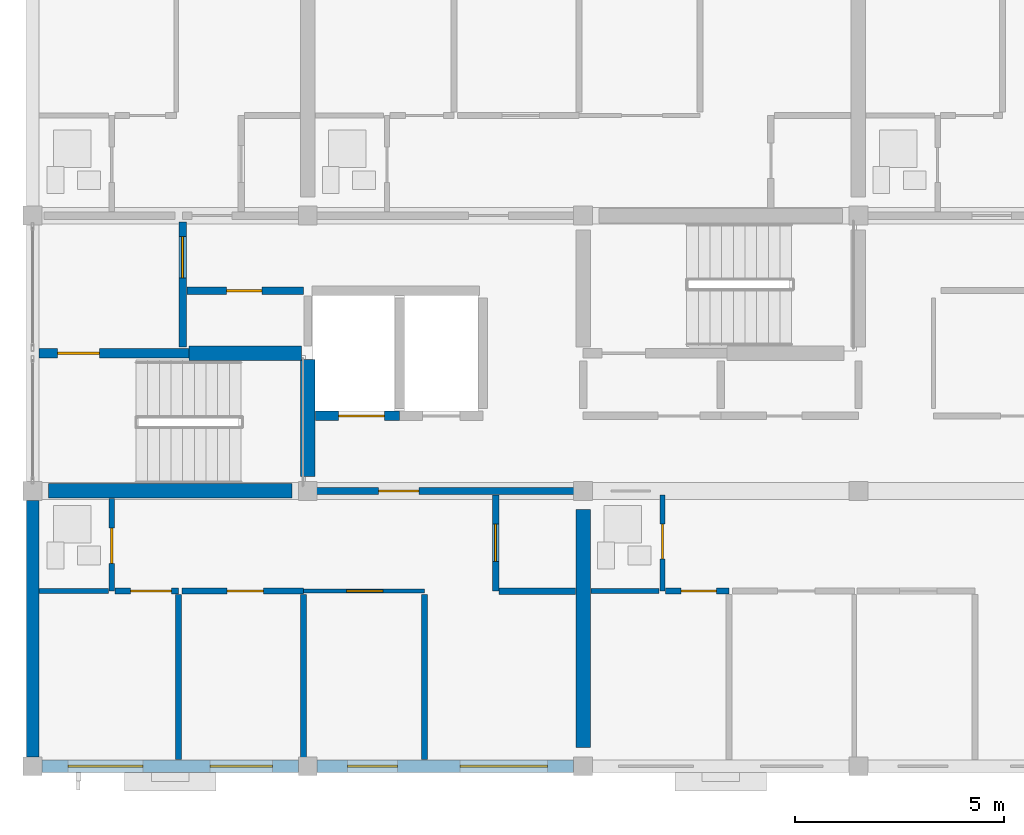
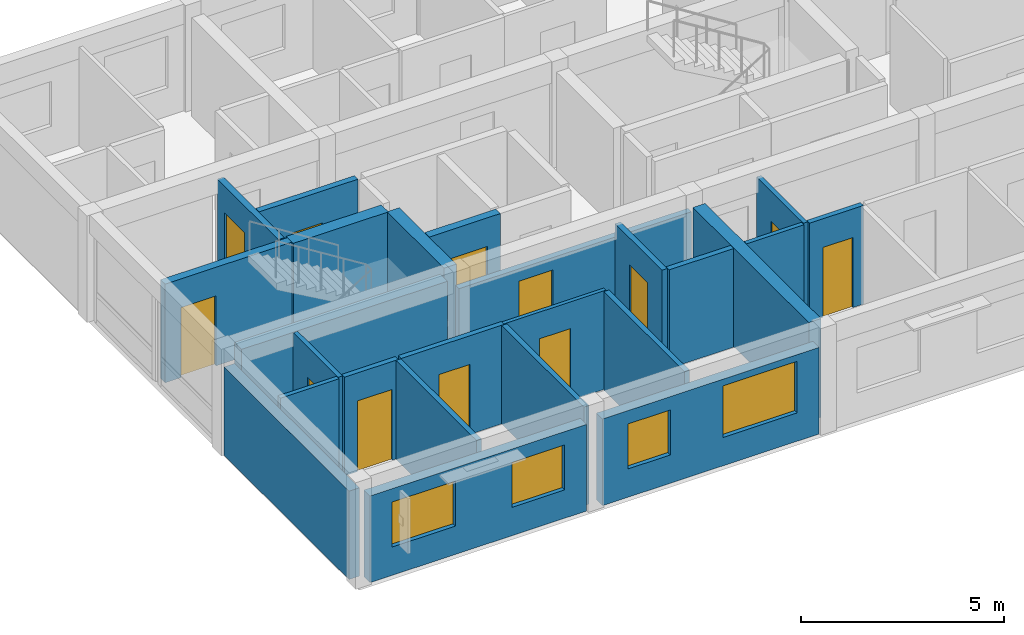
# One storey, part 26 of 52: 25 walls, 12 doors, 4 windows, 16 openings.
"""IFC4 building model written with IfcOpenShell, lengths in metres."""

from ifc_helpers import new_model, si_unit, direction, frame, frame_2d, origin, place, context, subcontext, project, spatial, rectangle, extrude, material, layer, layer_set, type_object, element, fill, save


model = new_model("IFC4")

# Units and contexts
model_context = context("Model", 3, precision=1e-05, world=origin(), true_north=direction((0.0, 1.0)))
body_context = subcontext(model_context, "Body", "Model", "MODEL_VIEW")
ifc_project = project(units=[si_unit("LENGTHUNIT", "METRE"), si_unit("AREAUNIT", "SQUARE_METRE"), si_unit("VOLUMEUNIT", "CUBIC_METRE"), si_unit("PLANEANGLEUNIT", "RADIAN"), si_unit("MASSUNIT", "GRAM", prefix="KILO")], contexts=[model_context])

# Site, building, storey
site_placement = place(None, origin())
site = spatial("IfcSite", under=ifc_project, at=site_placement, CompositionType="ELEMENT")
building_placement = place(site_placement, origin())
building = spatial("IfcBuilding", under=site, at=building_placement, Name="Kernevlak Ridge Housing Community", CompositionType="ELEMENT")
storey_placement = place(building_placement, frame((0.0, 0.0, 11.60009765625)))
storey = spatial("IfcBuildingStorey", under=building, at=storey_placement, Name="L03", CompositionType="ELEMENT", Elevation=11.60009765625)

# Wall, openings, windows
ifc_material_1 = material(Name="Concrete block masonry M10", Category="masonry")
ifc_layer_1 = layer(ifc_material_1, 0.300048828125, Name="Concrete block masonry M10")
ifc_layer_set_1 = layer_set([ifc_layer_1], Name="Concrete block masonry M10")
wall_type_1 = type_object("IfcWallType", Name="EW-01", PredefinedType="STANDARD", material=ifc_layer_set_1)
wall_1_placement = place(storey_placement, frame((15.824951171875, 15.60009765625, 0.0), z_axis=(0.0, 0.0, 1.0), x_axis=(1.0, 0.0, 0.0)))
wall_1 = element("IfcWall", 1, at=wall_1_placement, inside=storey, type_object=wall_type_1, Name="Exterior wall EW-01 L03 753", PredefinedType="STANDARD", context=body_context, shape_type="SweptSolid", body=[
    extrude(rectangle(XDim=6.150146484375, YDim=0.300048828125, at=frame_2d((3.0751953125, 0.0))), origin(), (0.0, 0.0, 1.0), 2.599853515625),
])
opening_1_placement = place(wall_1_placement, frame((0.625, 0.0, 0.85009765625)))
opening_1 = element("IfcOpeningElement", 2, at=opening_1_placement, cuts=wall_1, Name="Opening WT-03", PredefinedType="OPENING", context=body_context, shape_type="SweptSolid", body=[
    extrude(rectangle(XDim=1.800048828125, YDim=1.35009765625, at=frame_2d((0.89990234375, 0.675048828125))), frame((0.0, 0.159912109375, 0.0), z_axis=(0.0, -1.0, 0.0), x_axis=(1.0, 0.0, 0.0)), (0.0, 0.0, 1.0), 0.320068359375),
])
opening_2_placement = place(wall_1_placement, frame((4.02490234375, 0.0, 0.85009765625)))
opening_2 = element("IfcOpeningElement", 3, at=opening_2_placement, cuts=wall_1, Name="Opening WT-02", PredefinedType="OPENING", context=body_context, shape_type="SweptSolid", body=[
    extrude(rectangle(XDim=1.5, YDim=1.35009765625, at=frame_2d((0.75, 0.675048828125))), frame((0.0, 0.159912109375, 0.0), z_axis=(0.0, -1.0, 0.0), x_axis=(1.0, 0.0, 0.0)), (0.0, 0.0, 1.0), 0.320068359375),
])
ifc_material_2 = material(Name="Aluminium EN AW-6060 anodised and laminated glass", Category="aluminium")
window_type_1 = type_object("IfcWindowType", Name="WT-02", PartitioningType="SINGLE_PANEL", PredefinedType="WINDOW", material=ifc_material_2)
window_1_placement = place(opening_2_placement, origin())
window_1 = element("IfcWindow", 4, at=window_1_placement, inside=storey, type_object=window_type_1, Name="Window WT-02 L03 621", OverallHeight=1.35009765625, OverallWidth=1.5, PartitioningType="SINGLE_PANEL", PredefinedType="WINDOW", context=body_context, shape_type="SweptSolid", body=[
    extrude(rectangle(XDim=1.5, YDim=1.35009765625, at=frame_2d((0.75, 0.675048828125))), frame((0.0, 0.030029296875, 0.0), z_axis=(0.0, -1.0, 0.0), x_axis=(1.0, 0.0, 0.0)), (0.0, 0.0, 1.0), 0.06005859375),
])
fill(opening_2, window_1)
window_type_2 = type_object("IfcWindowType", Name="WT-03", PartitioningType="SINGLE_PANEL", PredefinedType="WINDOW", material=ifc_material_2)
window_2_placement = place(opening_1_placement, origin())
window_2 = element("IfcWindow", 5, at=window_2_placement, inside=storey, type_object=window_type_2, Name="Window WT-03 L03 620", OverallHeight=1.35009765625, OverallWidth=1.800048828125, PartitioningType="SINGLE_PANEL", PredefinedType="WINDOW", context=body_context, shape_type="SweptSolid", body=[
    extrude(rectangle(XDim=1.800048828125, YDim=1.35009765625, at=frame_2d((0.89990234375, 0.675048828125))), frame((0.0, 0.030029296875, 0.0), z_axis=(0.0, -1.0, 0.0), x_axis=(1.0, 0.0, 0.0)), (0.0, 0.0, 1.0), 0.06005859375),
])
fill(opening_1, window_2)

wall_2_placement = place(storey_placement, frame((22.425048828125, 15.60009765625, 0.0), z_axis=(0.0, 0.0, 1.0), x_axis=(1.0, 0.0, 0.0)))
wall_2 = element("IfcWall", 6, at=wall_2_placement, inside=storey, type_object=wall_type_1, Name="Exterior wall EW-01 L03 754", PredefinedType="STANDARD", context=body_context, shape_type="SweptSolid", body=[
    extrude(rectangle(XDim=6.14990234375, YDim=0.300048828125, at=frame_2d((3.074951171875, 0.0))), origin(), (0.0, 0.0, 1.0), 2.599853515625),
])
opening_3_placement = place(wall_2_placement, frame((0.72509765625, 0.0, 0.85009765625)))
opening_3 = element("IfcOpeningElement", 7, at=opening_3_placement, cuts=wall_2, Name="Opening WT-01", PredefinedType="OPENING", context=body_context, shape_type="SweptSolid", body=[
    extrude(rectangle(XDim=1.199951171875, YDim=1.35009765625, at=frame_2d((0.60009765625, 0.675048828125))), frame((0.0, 0.159912109375, 0.0), z_axis=(0.0, -1.0, 0.0), x_axis=(1.0, 0.0, 0.0)), (0.0, 0.0, 1.0), 0.320068359375),
])
opening_4_placement = place(wall_2_placement, frame((3.425048828125, 0.0, 0.85009765625)))
opening_4 = element("IfcOpeningElement", 8, at=opening_4_placement, cuts=wall_2, Name="Opening WT-05", PredefinedType="OPENING", context=body_context, shape_type="SweptSolid", body=[
    extrude(rectangle(XDim=2.10009765625, YDim=1.550048828125, at=frame_2d((1.050048828125, 0.77490234375))), frame((0.0, 0.159912109375, 0.0), z_axis=(0.0, -1.0, 0.0), x_axis=(1.0, 0.0, 0.0)), (0.0, 0.0, 1.0), 0.320068359375),
])
window_type_3 = type_object("IfcWindowType", Name="WT-01", PartitioningType="SINGLE_PANEL", PredefinedType="WINDOW", material=ifc_material_2)
window_3_placement = place(opening_3_placement, origin())
window_3 = element("IfcWindow", 9, at=window_3_placement, inside=storey, type_object=window_type_3, Name="Window WT-01 L03 622", OverallHeight=1.35009765625, OverallWidth=1.199951171875, PartitioningType="SINGLE_PANEL", PredefinedType="WINDOW", context=body_context, shape_type="SweptSolid", body=[
    extrude(rectangle(XDim=1.199951171875, YDim=1.35009765625, at=frame_2d((0.60009765625, 0.675048828125))), frame((0.0, 0.030029296875, 0.0), z_axis=(0.0, -1.0, 0.0), x_axis=(1.0, 0.0, 0.0)), (0.0, 0.0, 1.0), 0.06005859375),
])
fill(opening_3, window_3)
window_type_4 = type_object("IfcWindowType", Name="WT-05", PartitioningType="SINGLE_PANEL", PredefinedType="WINDOW", material=ifc_material_2)
window_4_placement = place(opening_4_placement, origin())
window_4 = element("IfcWindow", 10, at=window_4_placement, inside=storey, type_object=window_type_4, Name="Window WT-05 L03 623", OverallHeight=1.550048828125, OverallWidth=2.10009765625, PartitioningType="SINGLE_PANEL", PredefinedType="WINDOW", context=body_context, shape_type="SweptSolid", body=[
    extrude(rectangle(XDim=2.10009765625, YDim=1.550048828125, at=frame_2d((1.050048828125, 0.77490234375))), frame((0.0, 0.030029296875, 0.0), z_axis=(0.0, -1.0, 0.0), x_axis=(1.0, 0.0, 0.0)), (0.0, 0.0, 1.0), 0.06005859375),
])
fill(opening_4, window_4)

# Wall
wall_3_placement = place(storey_placement, frame((15.60009765625, 15.824951171875, 0.0), z_axis=(0.0, 0.0, 1.0), x_axis=(0.0, 1.0, 0.0)))
element("IfcWall", 11, at=wall_3_placement, inside=storey, type_object=wall_type_1, Name="Exterior wall EW-01 L03 763", PredefinedType="STANDARD", context=body_context, shape_type="SweptSolid", body=[
    extrude(rectangle(XDim=6.150146484375, YDim=0.300048828125, at=frame_2d((3.0751953125, 0.0))), origin(), (0.0, 0.0, 1.0), 2.64990234375),
])

# Wall, opening, door
ifc_material_3 = material(Name="Concrete C35/45", Category="concrete")
ifc_layer_2 = layer(ifc_material_3, 0.22509765625, Name="Concrete C35/45")
ifc_layer_set_2 = layer_set([ifc_layer_2], Name="Concrete C35/45")
wall_type_2 = type_object("IfcWallType", Name="PW-01", PredefinedType="STANDARD", material=ifc_layer_set_2)
wall_4_placement = place(storey_placement, frame((15.75, 25.5, 0.0), z_axis=(0.0, 0.0, 1.0), x_axis=(1.0, 0.0, 0.0)))
wall_4 = element("IfcWall", 12, at=wall_4_placement, inside=storey, type_object=wall_type_2, Name="Interior wall PW-01 WAL-INT-L03-3108", PredefinedType="STANDARD", context=body_context, shape_type="SweptSolid", body=[
    extrude(rectangle(XDim=3.60009765625, YDim=0.22509765625, at=frame_2d((1.800048828125, 0.0))), origin(), (0.0, 0.0, 1.0), 2.9599609375),
])
opening_5_placement = place(wall_4_placement, frame((0.449951171875, 0.0, 0.0)))
opening_5 = element("IfcOpeningElement", 13, at=opening_5_placement, cuts=wall_4, Name="Opening E577", PredefinedType="OPENING", context=body_context, shape_type="SweptSolid", body=[
    extrude(rectangle(XDim=1.0, YDim=2.10009765625, at=frame_2d((0.5, 1.050048828125))), frame((0.0, 0.12255859375, 0.0), z_axis=(0.0, -1.0, 0.0), x_axis=(1.0, 0.0, 0.0)), (0.0, 0.0, 1.0), 0.2451171875),
])
ifc_material_4 = material(Name="Fire-rated sheet steel leaf", Category="steel")
door_type_1 = type_object("IfcDoorType", Name="DT-05", OperationType="NOTDEFINED", PredefinedType="DOOR", material=ifc_material_4)
door_1_placement = place(opening_5_placement, origin())
door_1 = element("IfcDoor", 14, at=door_1_placement, inside=storey, type_object=door_type_1, Name="Block D Stair 1 fire door E577", OperationType="SINGLE_SWING_RIGHT", OverallHeight=2.10009765625, OverallWidth=1.0, PredefinedType="DOOR", context=body_context, shape_type="SweptSolid", body=[
    extrude(rectangle(XDim=1.0, YDim=2.10009765625, at=frame_2d((0.5, 1.050048828125))), frame((0.0, 0.02490234375, 0.0), z_axis=(0.0, -1.0, 0.0), x_axis=(1.0, 0.0, 0.0)), (0.0, 0.0, 1.0), 0.050048828125),
])
fill(opening_5, door_1)

wall_5_placement = place(storey_placement, frame((22.385009765625, 24.0, 0.0), z_axis=(0.0, 0.0, 1.0), x_axis=(1.0, 0.0, 0.0)))
wall_5 = element("IfcWall", 15, at=wall_5_placement, inside=storey, type_object=wall_type_2, Name="Interior wall PW-01 WAL-INT-L03-3112", PredefinedType="STANDARD", context=body_context, shape_type="SweptSolid", body=[
    extrude(rectangle(XDim=2.014892578125, YDim=0.22509765625, at=frame_2d((1.00732421875, 0.0))), origin(), (0.0, 0.0, 1.0), 2.9599609375),
])
opening_6_placement = place(wall_5_placement, frame((0.550048828125, 0.0, 0.0)))
opening_6 = element("IfcOpeningElement", 16, at=opening_6_placement, cuts=wall_5, Name="Opening LD84", PredefinedType="OPENING", context=body_context, shape_type="SweptSolid", body=[
    extrude(rectangle(XDim=1.10009765625, YDim=2.10009765625, at=frame_2d((0.550048828125, 1.050048828125))), frame((0.0, 0.12255859375, 0.0), z_axis=(0.0, -1.0, 0.0), x_axis=(1.0, 0.0, 0.0)), (0.0, 0.0, 1.0), 0.2451171875),
])
ifc_material_5 = material(Name="Stainless steel EN 1.4401", Category="steel")
door_type_2 = type_object("IfcDoorType", Name="DT-LD1", OperationType="DOUBLE_DOOR_SLIDING", PredefinedType="DOOR", material=ifc_material_5)
door_2_placement = place(opening_6_placement, origin())
door_2 = element("IfcDoor", 17, at=door_2_placement, inside=storey, type_object=door_type_2, Name="Lift LF-D1 landing door LD84", OperationType="DOUBLE_DOOR_SLIDING", OverallHeight=2.10009765625, OverallWidth=1.10009765625, PredefinedType="DOOR", context=body_context, shape_type="SweptSolid", body=[
    extrude(rectangle(XDim=1.10009765625, YDim=2.10009765625, at=frame_2d((0.550048828125, 1.050048828125))), frame((0.0, 0.02490234375, 0.0), z_axis=(0.0, -1.0, 0.0), x_axis=(1.0, 0.0, 0.0)), (0.0, 0.0, 1.0), 0.050048828125),
])
fill(opening_6, door_2)

ifc_layer_3 = layer(ifc_material_1, 0.175048828125, Name="Concrete block masonry M10")
ifc_layer_set_3 = layer_set([ifc_layer_3], Name="Concrete block masonry M10")
wall_type_3 = type_object("IfcWallType", Name="PW-02", PredefinedType="PARTITIONING", material=ifc_layer_set_3)
wall_6_placement = place(storey_placement, frame((19.199951171875, 25.64990234375, 0.0), z_axis=(0.0, 0.0, 1.0), x_axis=(0.0, 1.0, 0.0)))
wall_6 = element("IfcWall", 18, at=wall_6_placement, inside=storey, type_object=wall_type_3, Name="Interior wall PW-02 WAL-INT-L03-3109", PredefinedType="PARTITIONING", context=body_context, shape_type="SweptSolid", body=[
    extrude(rectangle(XDim=3.0, YDim=0.175048828125, at=frame_2d((1.5, 0.0))), origin(), (0.0, 0.0, 1.0), 2.9599609375),
])
opening_7_placement = place(wall_6_placement, frame((1.64990234375, 0.0, 0.0)))
opening_7 = element("IfcOpeningElement", 19, at=opening_7_placement, cuts=wall_6, Name="Opening E578", PredefinedType="OPENING", context=body_context, shape_type="SweptSolid", body=[
    extrude(rectangle(XDim=1.0, YDim=2.159912109375, at=frame_2d((0.5, 1.080078125))), frame((0.0, 0.097412109375, 0.0), z_axis=(0.0, -1.0, 0.0), x_axis=(1.0, 0.0, 0.0)), (0.0, 0.0, 1.0), 0.195068359375),
])
door_type_3 = type_object("IfcDoorType", Name="DT-15", OperationType="NOTDEFINED", PredefinedType="DOOR", material=ifc_material_4)
door_3_placement = place(opening_7_placement, origin())
door_3 = element("IfcDoor", 20, at=door_3_placement, inside=storey, type_object=door_type_3, Name="Block D Firefighting lobby 1 door E578", OperationType="SINGLE_SWING_LEFT", OverallHeight=2.159912109375, OverallWidth=1.0, PredefinedType="DOOR", context=body_context, shape_type="SweptSolid", body=[
    extrude(rectangle(XDim=1.0, YDim=2.159912109375, at=frame_2d((0.5, 1.080078125))), frame((0.0, 0.02490234375, 0.0), z_axis=(0.0, -1.0, 0.0), x_axis=(1.0, 0.0, 0.0)), (0.0, 0.0, 1.0), 0.050048828125),
])
fill(opening_7, door_3)

wall_7_placement = place(storey_placement, frame((19.300048828125, 27.0, 0.0), z_axis=(0.0, 0.0, 1.0), x_axis=(1.0, 0.0, 0.0)))
wall_7 = element("IfcWall", 21, at=wall_7_placement, inside=storey, type_object=wall_type_3, Name="Interior wall PW-02 WAL-INT-L03-3110", PredefinedType="PARTITIONING", context=body_context, shape_type="SweptSolid", body=[
    extrude(rectangle(XDim=2.800048828125, YDim=0.175048828125, at=frame_2d((1.39990234375, 0.0))), origin(), (0.0, 0.0, 1.0), 2.9599609375),
])
opening_8_placement = place(wall_7_placement, frame((0.949951171875, 0.0, 0.0)))
opening_8 = element("IfcOpeningElement", 22, at=opening_8_placement, cuts=wall_7, Name="Opening E579", PredefinedType="OPENING", context=body_context, shape_type="SweptSolid", body=[
    extrude(rectangle(XDim=0.85009765625, YDim=2.0, at=frame_2d((0.425048828125, 1.0))), frame((0.0, 0.097412109375, 0.0), z_axis=(0.0, -1.0, 0.0), x_axis=(1.0, 0.0, 0.0)), (0.0, 0.0, 1.0), 0.195068359375),
])
door_type_4 = type_object("IfcDoorType", Name="DT-07", OperationType="NOTDEFINED", PredefinedType="DOOR", material=ifc_material_4)
door_4_placement = place(opening_8_placement, origin())
door_4 = element("IfcDoor", 23, at=door_4_placement, inside=storey, type_object=door_type_4, Name="Block D Riser shaft door E579", OperationType="SINGLE_SWING_RIGHT", OverallHeight=2.0, OverallWidth=0.85009765625, PredefinedType="DOOR", context=body_context, shape_type="SweptSolid", body=[
    extrude(rectangle(XDim=0.85009765625, YDim=2.0, at=frame_2d((0.425048828125, 1.0))), frame((0.0, 0.02490234375, 0.0), z_axis=(0.0, -1.0, 0.0), x_axis=(1.0, 0.0, 0.0)), (0.0, 0.0, 1.0), 0.050048828125),
])
fill(opening_8, door_4)

wall_8_placement = place(storey_placement, frame((22.199951171875, 22.199951171875, 0.0), z_axis=(0.0, 0.0, 1.0), x_axis=(1.0, 0.0, 0.0)))
wall_8 = element("IfcWall", 24, at=wall_8_placement, inside=storey, type_object=wall_type_3, Name="Interior wall PW-02 WAL-INT-L03-3127", PredefinedType="PARTITIONING", context=body_context, shape_type="SweptSolid", body=[
    extrude(rectangle(XDim=6.60009765625, YDim=0.175048828125, at=frame_2d((3.300048828125, 0.0))), origin(), (0.0, 0.0, 1.0), 2.5498046875),
])
opening_9_placement = place(wall_8_placement, frame((1.699951171875, 0.0, 0.0)))
opening_9 = element("IfcOpeningElement", 25, at=opening_9_placement, cuts=wall_8, Name="Opening E584", PredefinedType="OPENING", context=body_context, shape_type="SweptSolid", body=[
    extrude(rectangle(XDim=0.9599609375, YDim=2.179931640625, at=frame_2d((0.47998046875, 1.08984375))), frame((0.0, 0.097412109375, 0.0), z_axis=(0.0, -1.0, 0.0), x_axis=(1.0, 0.0, 0.0)), (0.0, 0.0, 1.0), 0.195068359375),
])
ifc_material_6 = material(Name="Hardwood timber solid-core fire leaf", Category="wood")
door_type_5 = type_object("IfcDoorType", Name="DT-29", OperationType="NOTDEFINED", PredefinedType="DOOR", material=ifc_material_6)
door_5_placement = place(opening_9_placement, origin())
door_5 = element("IfcDoor", 26, at=door_5_placement, inside=storey, type_object=door_type_5, Name="Flat D0311 entrance fire door E584", OperationType="SINGLE_SWING_LEFT", OverallHeight=2.179931640625, OverallWidth=0.9599609375, PredefinedType="DOOR", context=body_context, shape_type="SweptSolid", body=[
    extrude(rectangle(XDim=0.9599609375, YDim=2.179931640625, at=frame_2d((0.47998046875, 1.08984375))), frame((0.0, 0.02490234375, 0.0), z_axis=(0.0, -1.0, 0.0), x_axis=(1.0, 0.0, 0.0)), (0.0, 0.0, 1.0), 0.050048828125),
])
fill(opening_9, door_5)

ifc_layer_4 = layer(ifc_material_1, 0.14501953125, Name="Concrete block masonry M10")
ifc_layer_set_4 = layer_set([ifc_layer_4], Name="Concrete block masonry M10")
wall_type_4 = type_object("IfcWallType", Name="PW-03", PredefinedType="PARTITIONING", material=ifc_layer_set_4)
wall_9_placement = place(storey_placement, frame((17.572509765625, 19.800048828125, 0.0), z_axis=(0.0, 0.0, 1.0), x_axis=(1.0, 0.0, 0.0)))
wall_9 = element("IfcWall", 27, at=wall_9_placement, inside=storey, type_object=wall_type_4, Name="Interior wall PW-03 WAL-INT-L03-3132", PredefinedType="PARTITIONING", context=body_context, shape_type="SweptSolid", body=[
    extrude(rectangle(XDim=1.527587890625, YDim=0.14501953125, at=frame_2d((0.763671875, 0.0))), origin(), (0.0, 0.0, 1.0), 2.9599609375),
])
opening_10_placement = place(wall_9_placement, frame((0.375, 0.0, 0.0)))
opening_10 = element("IfcOpeningElement", 28, at=opening_10_placement, cuts=wall_9, Name="Opening E587", PredefinedType="OPENING", context=body_context, shape_type="SweptSolid", body=[
    extrude(rectangle(XDim=0.97998046875, YDim=2.1201171875, at=frame_2d((0.489990234375, 1.06005859375))), frame((0.0, 0.08251953125, 0.0), z_axis=(0.0, -1.0, 0.0), x_axis=(1.0, 0.0, 0.0)), (0.0, 0.0, 1.0), 0.1650390625),
])
ifc_material_7 = material(Name="Hardwood timber leaf", Category="wood")
door_type_6 = type_object("IfcDoorType", Name="DT-24", OperationType="NOTDEFINED", PredefinedType="DOOR", material=ifc_material_7)
door_6_placement = place(opening_10_placement, origin())
door_6 = element("IfcDoor", 29, at=door_6_placement, inside=storey, type_object=door_type_6, Name="Flat D0311 bedroom door E587", OperationType="SINGLE_SWING_RIGHT", OverallHeight=2.1201171875, OverallWidth=0.97998046875, PredefinedType="DOOR", context=body_context, shape_type="SweptSolid", body=[
    extrude(rectangle(XDim=0.97998046875, YDim=2.1201171875, at=frame_2d((0.489990234375, 1.06005859375))), frame((0.0, 0.02490234375, 0.0), z_axis=(0.0, -1.0, 0.0), x_axis=(1.0, 0.0, 0.0)), (0.0, 0.0, 1.0), 0.050048828125),
])
fill(opening_10, door_6)

# Wall
wall_10_placement = place(storey_placement, frame((19.10009765625, 19.717529296875, 0.0), z_axis=(0.0, 0.0, 1.0), x_axis=(0.0, -1.0, 0.0)))
element("IfcWall", 30, at=wall_10_placement, inside=storey, type_object=wall_type_4, Name="Interior wall PW-03 WAL-INT-L03-3133", PredefinedType="PARTITIONING", context=body_context, shape_type="SweptSolid", body=[
    extrude(rectangle(XDim=3.95751953125, YDim=0.14501953125, at=frame_2d((1.978759765625, 0.0))), origin(), (0.0, 0.0, 1.0), 2.9599609375),
])

# Wall, opening, door
wall_11_placement = place(storey_placement, frame((19.1826171875, 19.800048828125, 0.0), z_axis=(0.0, 0.0, 1.0), x_axis=(1.0, 0.0, 0.0)))
wall_11 = element("IfcWall", 31, at=wall_11_placement, inside=storey, type_object=wall_type_4, Name="Interior wall PW-03 WAL-INT-L03-3134", PredefinedType="PARTITIONING", context=body_context, shape_type="SweptSolid", body=[
    extrude(rectangle(XDim=2.91748046875, YDim=0.14501953125, at=frame_2d((1.458740234375, 0.0))), origin(), (0.0, 0.0, 1.0), 2.9599609375),
])
opening_11_placement = place(wall_11_placement, frame((1.074951171875, 0.0, 0.0)))
opening_11 = element("IfcOpeningElement", 32, at=opening_11_placement, cuts=wall_11, Name="Opening E588", PredefinedType="OPENING", context=body_context, shape_type="SweptSolid", body=[
    extrude(rectangle(XDim=0.8798828125, YDim=2.10009765625, at=frame_2d((0.43994140625, 1.050048828125))), frame((0.0, 0.08251953125, 0.0), z_axis=(0.0, -1.0, 0.0), x_axis=(1.0, 0.0, 0.0)), (0.0, 0.0, 1.0), 0.1650390625),
])
door_type_7 = type_object("IfcDoorType", Name="DT-25", OperationType="NOTDEFINED", PredefinedType="DOOR", material=ifc_material_7)
door_7_placement = place(opening_11_placement, origin())
door_7 = element("IfcDoor", 33, at=door_7_placement, inside=storey, type_object=door_type_7, Name="Flat D0311 bedroom door E588", OperationType="SINGLE_SWING_LEFT", OverallHeight=2.10009765625, OverallWidth=0.8798828125, PredefinedType="DOOR", context=body_context, shape_type="SweptSolid", body=[
    extrude(rectangle(XDim=0.8798828125, YDim=2.10009765625, at=frame_2d((0.43994140625, 1.050048828125))), frame((0.0, 0.02490234375, 0.0), z_axis=(0.0, -1.0, 0.0), x_axis=(1.0, 0.0, 0.0)), (0.0, 0.0, 1.0), 0.050048828125),
])
fill(opening_11, door_7)

# Walls
wall_12_placement = place(storey_placement, frame((22.10009765625, 19.717529296875, 0.0), z_axis=(0.0, 0.0, 1.0), x_axis=(0.0, -1.0, 0.0)))
element("IfcWall", 34, at=wall_12_placement, inside=storey, type_object=wall_type_4, Name="Interior wall PW-03 WAL-INT-L03-3135", PredefinedType="PARTITIONING", context=body_context, shape_type="SweptSolid", body=[
    extrude(rectangle(XDim=4.03759765625, YDim=0.14501953125, at=frame_2d((2.018798828125, 0.0))), origin(), (0.0, 0.0, 1.0), 2.9599609375),
])
wall_13_placement = place(storey_placement, frame((25.0, 19.719970703125, 0.0), z_axis=(0.0, 0.0, 1.0), x_axis=(0.0, -1.0, 0.0)))
element("IfcWall", 35, at=wall_13_placement, inside=storey, type_object=wall_type_4, Name="Interior wall PW-03 WAL-INT-L03-3137", PredefinedType="PARTITIONING", context=body_context, shape_type="SweptSolid", body=[
    extrude(rectangle(XDim=3.9599609375, YDim=0.14501953125, at=frame_2d((1.97998046875, 0.0))), origin(), (0.0, 0.0, 1.0), 2.9599609375),
])

# Wall, opening, door
wall_14_placement = place(storey_placement, frame((30.7724609375, 19.800048828125, 0.0), z_axis=(0.0, 0.0, 1.0), x_axis=(1.0, 0.0, 0.0)))
wall_14 = element("IfcWall", 36, at=wall_14_placement, inside=storey, type_object=wall_type_4, Name="Interior wall PW-03 WAL-INT-L03-3143", PredefinedType="PARTITIONING", context=body_context, shape_type="SweptSolid", body=[
    extrude(rectangle(XDim=1.527587890625, YDim=0.14501953125, at=frame_2d((0.763671875, 0.0))), origin(), (0.0, 0.0, 1.0), 2.9599609375),
])
opening_12_placement = place(wall_14_placement, frame((0.375, 0.0, 0.0)))
opening_12 = element("IfcOpeningElement", 37, at=opening_12_placement, cuts=wall_14, Name="Opening E593", PredefinedType="OPENING", context=body_context, shape_type="SweptSolid", body=[
    extrude(rectangle(XDim=0.85009765625, YDim=2.10009765625, at=frame_2d((0.425048828125, 1.050048828125))), frame((0.0, 0.08251953125, 0.0), z_axis=(0.0, -1.0, 0.0), x_axis=(1.0, 0.0, 0.0)), (0.0, 0.0, 1.0), 0.1650390625),
])
door_type_8 = type_object("IfcDoorType", Name="DT-03", OperationType="NOTDEFINED", PredefinedType="DOOR", material=ifc_material_7)
door_8_placement = place(opening_12_placement, origin())
door_8 = element("IfcDoor", 38, at=door_8_placement, inside=storey, type_object=door_type_8, Name="Flat D0312 bedroom door E593", OperationType="SINGLE_SWING_RIGHT", OverallHeight=2.10009765625, OverallWidth=0.85009765625, PredefinedType="DOOR", context=body_context, shape_type="SweptSolid", body=[
    extrude(rectangle(XDim=0.85009765625, YDim=2.10009765625, at=frame_2d((0.425048828125, 1.050048828125))), frame((0.0, 0.02490234375, 0.0), z_axis=(0.0, -1.0, 0.0), x_axis=(1.0, 0.0, 0.0)), (0.0, 0.0, 1.0), 0.050048828125),
])
fill(opening_12, door_8)

ifc_material_8 = material(Name="Gypsum plasterboard EN 520", Category="gypsum")
ifc_layer_5 = layer(ifc_material_8, 0.125, Name="Gypsum plasterboard EN 520")
ifc_layer_set_5 = layer_set([ifc_layer_5], Name="Gypsum plasterboard EN 520")
wall_type_5 = type_object("IfcWallType", Name="PW-04", PredefinedType="PARTITIONING", material=ifc_layer_set_5)
wall_15_placement = place(storey_placement, frame((17.5, 22.014892578125, 0.0), z_axis=(0.0, 0.0, 1.0), x_axis=(0.0, -1.0, 0.0)))
wall_15 = element("IfcWall", 39, at=wall_15_placement, inside=storey, type_object=wall_type_5, Name="Interior wall PW-04 WAL-INT-L03-3128", PredefinedType="PARTITIONING", context=body_context, shape_type="SweptSolid", body=[
    extrude(rectangle(XDim=2.21484375, YDim=0.125, at=frame_2d((1.107421875, 0.0))), origin(), (0.0, 0.0, 1.0), 2.9599609375),
])
opening_13_placement = place(wall_15_placement, frame((0.699951171875, 0.0, 0.0)))
opening_13 = element("IfcOpeningElement", 40, at=opening_13_placement, cuts=wall_15, Name="Opening E585", PredefinedType="OPENING", context=body_context, shape_type="SweptSolid", body=[
    extrude(rectangle(XDim=0.85009765625, YDim=2.0400390625, at=frame_2d((0.425048828125, 1.02001953125))), frame((0.0, 0.072509765625, 0.0), z_axis=(0.0, -1.0, 0.0), x_axis=(1.0, 0.0, 0.0)), (0.0, 0.0, 1.0), 0.14501953125),
])
ifc_material_9 = material(Name="Hardwood timber moisture-resistant leaf", Category="wood")
door_type_9 = type_object("IfcDoorType", Name="DT-04", OperationType="NOTDEFINED", PredefinedType="DOOR", material=ifc_material_9)
door_9_placement = place(opening_13_placement, origin())
door_9 = element("IfcDoor", 41, at=door_9_placement, inside=storey, type_object=door_type_9, Name="Flat D0311 bathroom door E585", OperationType="SINGLE_SWING_RIGHT", OverallHeight=2.0400390625, OverallWidth=0.85009765625, PredefinedType="DOOR", context=body_context, shape_type="SweptSolid", body=[
    extrude(rectangle(XDim=0.85009765625, YDim=2.0400390625, at=frame_2d((0.425048828125, 1.02001953125))), frame((0.0, 0.02490234375, 0.0), z_axis=(0.0, -1.0, 0.0), x_axis=(1.0, 0.0, 0.0)), (0.0, 0.0, 1.0), 0.050048828125),
])
fill(opening_13, door_9)

# Wall
wall_16_placement = place(storey_placement, frame((15.760009765625, 19.800048828125, 0.0), z_axis=(0.0, 0.0, 1.0), x_axis=(1.0, 0.0, 0.0)))
element("IfcWall", 42, at=wall_16_placement, inside=storey, type_object=wall_type_5, Name="Interior wall PW-04 WAL-INT-L03-3129", PredefinedType="PARTITIONING", context=body_context, shape_type="SweptSolid", body=[
    extrude(rectangle(XDim=1.659912109375, YDim=0.125, at=frame_2d((0.830078125, 0.0))), origin(), (0.0, 0.0, 1.0), 2.9599609375),
])

# Wall, opening, door
wall_17_placement = place(storey_placement, frame((30.699951171875, 22.1025390625, 0.0), z_axis=(0.0, 0.0, 1.0), x_axis=(0.0, -1.0, 0.0)))
wall_17 = element("IfcWall", 43, at=wall_17_placement, inside=storey, type_object=wall_type_5, Name="Interior wall PW-04 WAL-INT-L03-3139", PredefinedType="PARTITIONING", context=body_context, shape_type="SweptSolid", body=[
    extrude(rectangle(XDim=2.302490234375, YDim=0.125, at=frame_2d((1.1513671875, 0.0))), origin(), (0.0, 0.0, 1.0), 2.9599609375),
])
opening_14_placement = place(wall_17_placement, frame((0.699951171875, 0.0, 0.0)))
opening_14 = element("IfcOpeningElement", 44, at=opening_14_placement, cuts=wall_17, Name="Opening E591", PredefinedType="OPENING", context=body_context, shape_type="SweptSolid", body=[
    extrude(rectangle(XDim=0.840087890625, YDim=2.06005859375, at=frame_2d((0.419921875, 1.030029296875))), frame((0.0, 0.072509765625, 0.0), z_axis=(0.0, -1.0, 0.0), x_axis=(1.0, 0.0, 0.0)), (0.0, 0.0, 1.0), 0.14501953125),
])
door_type_10 = type_object("IfcDoorType", Name="DT-27", OperationType="NOTDEFINED", PredefinedType="DOOR", material=ifc_material_9)
door_10_placement = place(opening_14_placement, origin())
door_10 = element("IfcDoor", 45, at=door_10_placement, inside=storey, type_object=door_type_10, Name="Flat D0312 bathroom door E591", OperationType="SINGLE_SWING_RIGHT", OverallHeight=2.06005859375, OverallWidth=0.840087890625, PredefinedType="DOOR", context=body_context, shape_type="SweptSolid", body=[
    extrude(rectangle(XDim=0.840087890625, YDim=2.06005859375, at=frame_2d((0.419921875, 1.030029296875))), frame((0.0, 0.02490234375, 0.0), z_axis=(0.0, -1.0, 0.0), x_axis=(1.0, 0.0, 0.0)), (0.0, 0.0, 1.0), 0.050048828125),
])
fill(opening_14, door_10)

# Wall
wall_18_placement = place(storey_placement, frame((28.985107421875, 19.800048828125, 0.0), z_axis=(0.0, 0.0, 1.0), x_axis=(1.0, 0.0, 0.0)))
element("IfcWall", 46, at=wall_18_placement, inside=storey, type_object=wall_type_5, Name="Interior wall PW-04 WAL-INT-L03-3140", PredefinedType="PARTITIONING", context=body_context, shape_type="SweptSolid", body=[
    extrude(rectangle(XDim=1.635009765625, YDim=0.125, at=frame_2d((0.8173828125, 0.0))), origin(), (0.0, 0.0, 1.0), 2.9599609375),
])

# Wall, opening, door
ifc_layer_6 = layer(ifc_material_8, 0.155029296875, Name="Gypsum plasterboard EN 520")
ifc_layer_set_6 = layer_set([ifc_layer_6], Name="Gypsum plasterboard EN 520")
wall_type_6 = type_object("IfcWallType", Name="PW-05", PredefinedType="PARTITIONING", material=ifc_layer_set_6)
wall_19_placement = place(storey_placement, frame((26.699951171875, 22.1025390625, 0.0), z_axis=(0.0, 0.0, 1.0), x_axis=(0.0, -1.0, 0.0)))
wall_19 = element("IfcWall", 47, at=wall_19_placement, inside=storey, type_object=wall_type_6, Name="Interior wall PW-05 WAL-INT-L03-3130", PredefinedType="PARTITIONING", context=body_context, shape_type="SweptSolid", body=[
    extrude(rectangle(XDim=2.302490234375, YDim=0.155029296875, at=frame_2d((1.1513671875, 0.0))), origin(), (0.0, 0.0, 1.0), 2.9599609375),
])
opening_15_placement = place(wall_19_placement, frame((0.699951171875, 0.0, 0.0)))
opening_15 = element("IfcOpeningElement", 48, at=opening_15_placement, cuts=wall_19, Name="Opening E586", PredefinedType="OPENING", context=body_context, shape_type="SweptSolid", body=[
    extrude(rectangle(XDim=0.89990234375, YDim=2.159912109375, at=frame_2d((0.449951171875, 1.080078125))), frame((0.0, 0.08740234375, 0.0), z_axis=(0.0, -1.0, 0.0), x_axis=(1.0, 0.0, 0.0)), (0.0, 0.0, 1.0), 0.175048828125),
])
door_type_11 = type_object("IfcDoorType", Name="DT-22", OperationType="NOTDEFINED", PredefinedType="DOOR", material=ifc_material_7)
door_11_placement = place(opening_15_placement, origin())
door_11 = element("IfcDoor", 49, at=door_11_placement, inside=storey, type_object=door_type_11, Name="Flat D0311 kitchen door E586", OperationType="SINGLE_SWING_LEFT", OverallHeight=2.159912109375, OverallWidth=0.89990234375, PredefinedType="DOOR", context=body_context, shape_type="SweptSolid", body=[
    extrude(rectangle(XDim=0.89990234375, YDim=2.159912109375, at=frame_2d((0.449951171875, 1.080078125))), frame((0.0, 0.02490234375, 0.0), z_axis=(0.0, -1.0, 0.0), x_axis=(1.0, 0.0, 0.0)), (0.0, 0.0, 1.0), 0.050048828125),
])
fill(opening_15, door_11)

# Wall
wall_20_placement = place(storey_placement, frame((26.78759765625, 19.800048828125, 0.0), z_axis=(0.0, 0.0, 1.0), x_axis=(1.0, 0.0, 0.0)))
element("IfcWall", 50, at=wall_20_placement, inside=storey, type_object=wall_type_6, Name="Interior wall PW-05 WAL-INT-L03-3131", PredefinedType="PARTITIONING", context=body_context, shape_type="SweptSolid", body=[
    extrude(rectangle(XDim=1.827392578125, YDim=0.155029296875, at=frame_2d((0.91357421875, 0.0))), origin(), (0.0, 0.0, 1.0), 2.9599609375),
])

# Wall, opening, door
ifc_layer_7 = layer(ifc_material_8, 0.10498046875, Name="Gypsum plasterboard EN 520")
ifc_layer_set_7 = layer_set([ifc_layer_7], Name="Gypsum plasterboard EN 520")
wall_type_7 = type_object("IfcWallType", Name="PW-06", PredefinedType="PARTITIONING", material=ifc_layer_set_7)
wall_21_placement = place(storey_placement, frame((22.10009765625, 19.800048828125, 0.0), z_axis=(0.0, 0.0, 1.0), x_axis=(1.0, 0.0, 0.0)))
wall_21 = element("IfcWall", 51, at=wall_21_placement, inside=storey, type_object=wall_type_7, Name="Interior wall PW-06 WAL-INT-L03-3136", PredefinedType="PARTITIONING", context=body_context, shape_type="SweptSolid", body=[
    extrude(rectangle(XDim=2.89990234375, YDim=0.10498046875, at=frame_2d((1.449951171875, 0.0))), origin(), (0.0, 0.0, 1.0), 2.9599609375),
])
opening_16_placement = place(wall_21_placement, frame((1.02490234375, 0.0, 0.0)))
opening_16 = element("IfcOpeningElement", 52, at=opening_16_placement, cuts=wall_21, Name="Opening E589", PredefinedType="OPENING", context=body_context, shape_type="SweptSolid", body=[
    extrude(rectangle(XDim=0.8798828125, YDim=2.159912109375, at=frame_2d((0.43994140625, 1.080078125))), frame((0.0, 0.0625, 0.0), z_axis=(0.0, -1.0, 0.0), x_axis=(1.0, 0.0, 0.0)), (0.0, 0.0, 1.0), 0.125),
])
door_type_12 = type_object("IfcDoorType", Name="DT-26", OperationType="NOTDEFINED", PredefinedType="DOOR", material=ifc_material_7)
door_12_placement = place(opening_16_placement, origin())
door_12 = element("IfcDoor", 53, at=door_12_placement, inside=storey, type_object=door_type_12, Name="Flat D0311 bedroom door E589", OperationType="SINGLE_SWING_RIGHT", OverallHeight=2.159912109375, OverallWidth=0.8798828125, PredefinedType="DOOR", context=body_context, shape_type="SweptSolid", body=[
    extrude(rectangle(XDim=0.8798828125, YDim=2.159912109375, at=frame_2d((0.43994140625, 1.080078125))), frame((0.0, 0.02490234375, 0.0), z_axis=(0.0, -1.0, 0.0), x_axis=(1.0, 0.0, 0.0)), (0.0, 0.0, 1.0), 0.050048828125),
])
fill(opening_16, door_12)

# Walls
ifc_material_10 = material(Name="Concrete C40/50", Category="concrete")
ifc_layer_8 = layer(ifc_material_10, 0.35009765625, Name="Concrete C40/50")
ifc_layer_set_8 = layer_set([ifc_layer_8], Name="Concrete C40/50")
wall_type_8 = type_object("IfcWallType", Name="SW-01", PredefinedType="SHEAR", material=ifc_layer_set_8)
wall_22_placement = place(storey_placement, frame((15.97998046875, 22.199951171875, 0.0), z_axis=(0.0, 0.0, 1.0), x_axis=(1.0, 0.0, 0.0)))
element("IfcWall", 54, at=wall_22_placement, inside=storey, type_object=wall_type_8, Name="Shear wall SW-01 Block D L03 537", PredefinedType="SHEAR", context=body_context, shape_type="SweptSolid", body=[
    extrude(rectangle(XDim=5.840087890625, YDim=0.35009765625, at=frame_2d((2.919921875, 0.0))), origin(), (0.0, 0.0, 1.0), 2.9599609375),
])
wall_23_placement = place(storey_placement, frame((19.35009765625, 25.5, 0.0), z_axis=(0.0, 0.0, 1.0), x_axis=(1.0, 0.0, 0.0)))
element("IfcWall", 55, at=wall_23_placement, inside=storey, type_object=wall_type_8, Name="Shear wall SW-01 Block D L03 538", PredefinedType="SHEAR", context=body_context, shape_type="SweptSolid", body=[
    extrude(rectangle(XDim=2.699951171875, YDim=0.35009765625, at=frame_2d((1.35009765625, 0.0))), origin(), (0.0, 0.0, 1.0), 2.9599609375),
])
wall_24_placement = place(storey_placement, frame((22.199951171875, 22.550048828125, 0.0), z_axis=(0.0, 0.0, 1.0), x_axis=(0.0, 1.0, 0.0)))
element("IfcWall", 56, at=wall_24_placement, inside=storey, type_object=wall_type_8, Name="Shear wall SW-01 Block D L03 539", PredefinedType="SHEAR", context=body_context, shape_type="SweptSolid", body=[
    extrude(rectangle(XDim=2.800048828125, YDim=0.35009765625, at=frame_2d((1.39990234375, 0.0))), origin(), (0.0, 0.0, 1.0), 2.9599609375),
])
wall_25_placement = place(storey_placement, frame((28.800048828125, 16.050048828125, 0.0), z_axis=(0.0, 0.0, 1.0), x_axis=(0.0, 1.0, 0.0)))
element("IfcWall", 57, at=wall_25_placement, inside=storey, type_object=wall_type_8, Name="Shear wall SW-01 Block D L03 544", PredefinedType="SHEAR", context=body_context, shape_type="SweptSolid", body=[
    extrude(rectangle(XDim=5.699951171875, YDim=0.35009765625, at=frame_2d((2.85009765625, 0.0))), origin(), (0.0, 0.0, 1.0), 2.9599609375),
])

save(model, "model.ifc")
